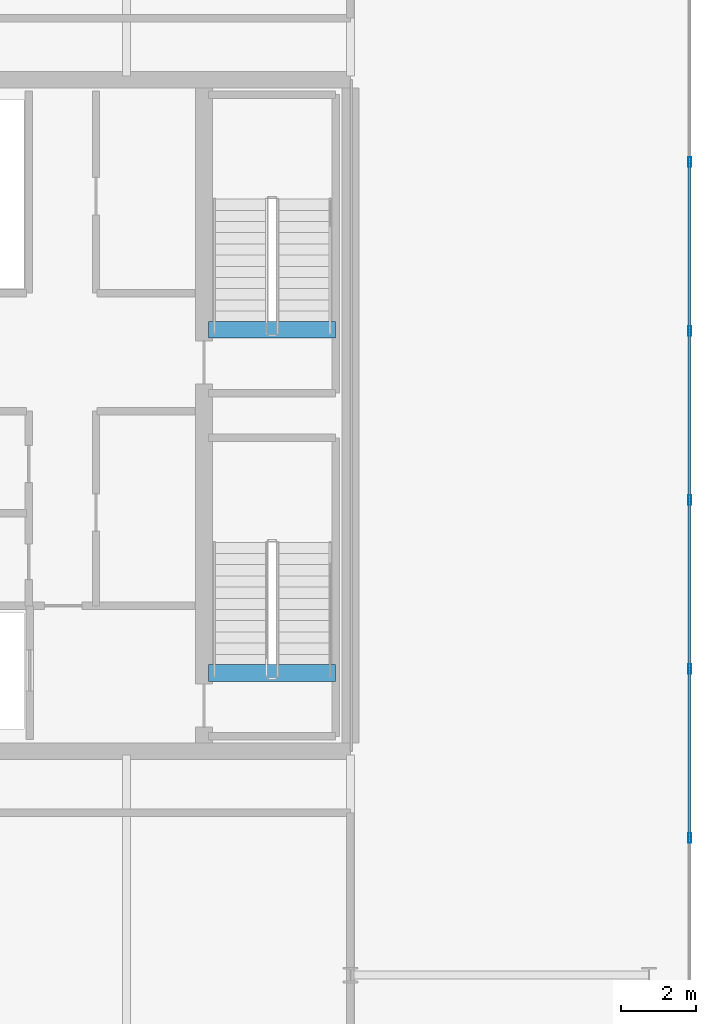
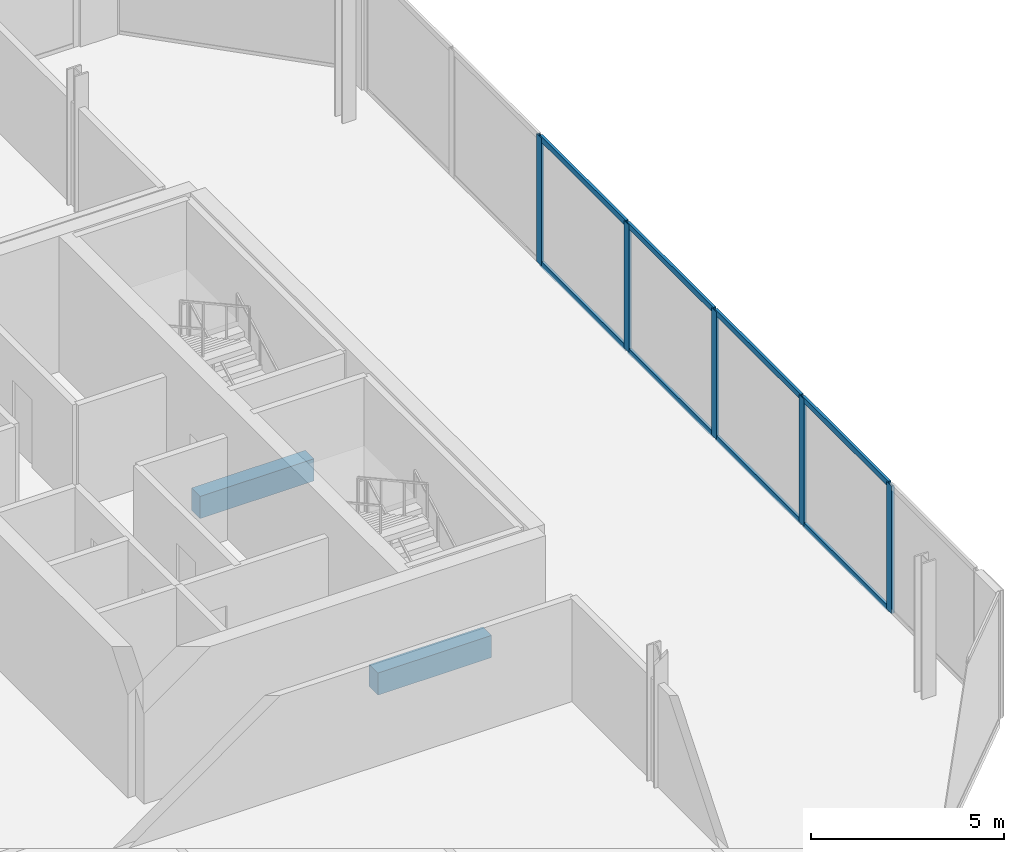
# One storey, part 8 of 16: 13 members, 2 beams, 1 element without a shape of its own.
"""IFC4 building model written with IfcOpenShell, lengths in metres."""

import ifcopenshell
import ifcopenshell.guid

model = None  # the IFC model being written
_history = None  # IfcOwnerHistory: only IFC2X3 demands one
_inside = {}  # id of a spatial element -> (the spatial element, [elements in it])
_under = {}  # id of a project, library or spatial element -> (it, [spatial elements below it])
_declared = {}  # id of a project -> (the project, [libraries it declares])
_typed = {}  # id of a type object -> (the type object, [elements of that type])
_made_of = {}  # id of a material, layer set ... -> (it, [elements and type objects made of it])


def new_model(schema):
    """Start an empty IFC model of exactly this schema.

    Asked for "IFC4X3", IfcOpenShell would pick the latest addendum, in which some entities
    have other attributes; the version numbers below select the first issue.
    IFC2X3 requires an IfcOwnerHistory on every rooted entity: one is made here for all.
    """
    global model, _history
    if schema == "IFC4X3":
        model = ifcopenshell.file(schema_version=(4, 3, 0, 0))
    else:
        model = ifcopenshell.file(schema=schema)
    _inside.clear()
    _under.clear()
    _declared.clear()
    _typed.clear()
    _made_of.clear()
    _history = None
    if model.schema == "IFC2X3":
        org = make("IfcOrganization", Name="unknown")
        user = make(
            "IfcPersonAndOrganization",
            ThePerson=make("IfcPerson", FamilyName="unknown"),
            TheOrganization=org,
        )
        app = make(
            "IfcApplication",
            ApplicationDeveloper=org,
            Version="unknown",
            ApplicationFullName="unknown",
            ApplicationIdentifier="unknown",
        )
        _history = make(
            "IfcOwnerHistory",
            OwningUser=user,
            OwningApplication=app,
            ChangeAction="ADDED",
            CreationDate=0,
        )
    return model


def make(cls, **values):
    """One entity of the class cls with the attributes given. An attribute that is None is left unset."""
    return model.create_entity(
        cls, **{name: value for name, value in values.items() if value is not None}
    )


def rooted(cls, **values):
    """An entity with a GlobalId (a new one), such as an element, a storey or a relation."""
    return make(cls, GlobalId=ifcopenshell.guid.new(), OwnerHistory=_history, **values)


def si_unit(unit_type, name, prefix=None):
    """IfcSIUnit, for example si_unit("LENGTHUNIT", "METRE", prefix="MILLI")."""
    return make("IfcSIUnit", UnitType=unit_type, Prefix=prefix, Name=name)


def assignment(units):
    """IfcUnitAssignment: the units of a project."""
    return None if units is None else make("IfcUnitAssignment", Units=units)


def point(xyz):
    """IfcCartesianPoint."""
    return None if xyz is None else make("IfcCartesianPoint", Coordinates=xyz)


def direction(xyz):
    """IfcDirection."""
    return None if xyz is None else make("IfcDirection", DirectionRatios=xyz)


def frame(location, z_axis=None, x_axis=None):
    """IfcAxis2Placement3D, a coordinate frame: its origin and axes. An axis left out is left unset."""
    return make(
        "IfcAxis2Placement3D",
        Location=point(location),
        Axis=direction(z_axis),
        RefDirection=direction(x_axis),
    )


def frame_2d(location, x_axis=None):
    """IfcAxis2Placement2D, a coordinate frame in the plane: its origin and x axis."""
    return make(
        "IfcAxis2Placement2D", Location=point(location), RefDirection=direction(x_axis)
    )


def origin():
    """The frame at (0, 0, 0) with its axes left unset."""
    return frame((0.0, 0.0, 0.0))


def origin_2d():
    """The frame at (0, 0) in the plane with its x axis left unset."""
    return frame_2d((0.0, 0.0))


def place(relative_to, where):
    """IfcLocalPlacement: puts the frame where relative to a parent placement (None: the world)."""
    return make(
        "IfcLocalPlacement", PlacementRelTo=relative_to, RelativePlacement=where
    )


def context(
    kind, dimensions, precision=None, world=None, true_north=None, identifier=None
):
    """IfcGeometricRepresentationContext, for example the 3D "Model" context."""
    return make(
        "IfcGeometricRepresentationContext",
        ContextIdentifier=identifier,
        ContextType=kind,
        CoordinateSpaceDimension=dimensions,
        Precision=precision,
        WorldCoordinateSystem=world,
        TrueNorth=true_north,
    )


def subcontext(parent, identifier, kind, view, scale=None):
    """IfcGeometricRepresentationSubContext, for example "Body" below "Model"."""
    return make(
        "IfcGeometricRepresentationSubContext",
        ContextIdentifier=identifier,
        ContextType=kind,
        ParentContext=parent,
        TargetScale=scale,
        TargetView=view,
    )


def project(units=None, contexts=None):
    """IfcProject with its units and contexts."""
    return rooted(
        "IfcProject",
        Name="project",
        RepresentationContexts=contexts,
        UnitsInContext=assignment(units),
    )


def spatial(cls, under=None, at=None, **own):
    """A site, building, storey or space (cls), placed at a placement, below another one or the project."""
    s = rooted(cls, ObjectPlacement=at, **own)
    if under is not None:
        _under.setdefault(under.id(), (under, []))[1].append(s)
    return s


def profile(cls, at=None, kind="AREA", **sizes):
    """A parametric profile (cls). Its sizes go by their IFC names, for example OverallWidth=200.0."""
    return make(cls, ProfileType=kind, Position=at, **sizes)


def rectangle(**sizes):
    """IfcRectangleProfileDef."""
    return profile("IfcRectangleProfileDef", **sizes)


def hollow_rectangle(**sizes):
    """IfcRectangleHollowProfileDef."""
    return profile("IfcRectangleHollowProfileDef", **sizes)


def extrude(swept, where, along, depth):
    """IfcExtrudedAreaSolid: the profile swept, set in the frame where, extruded along a direction by depth."""
    return make(
        "IfcExtrudedAreaSolid",
        SweptArea=swept,
        Position=where,
        ExtrudedDirection=direction(along),
        Depth=depth,
    )


def shape(context_of_items, identifier, shape_type, items):
    """IfcShapeRepresentation: the items that make up one representation, for example the "Body"."""
    return make(
        "IfcShapeRepresentation",
        ContextOfItems=context_of_items,
        RepresentationIdentifier=identifier,
        RepresentationType=shape_type,
        Items=items,
    )


def material(Name=None, Category=None):
    """IfcMaterial."""
    return make("IfcMaterial", Name=Name, Category=Category)


def layer(
    of_material, thickness, ventilated=None, Name=None, Category=None, Priority=None
):
    """IfcMaterialLayer: one layer of a wall or slab, of a material (None: an air gap)."""
    return make(
        "IfcMaterialLayer",
        Material=of_material,
        LayerThickness=thickness,
        IsVentilated=ventilated,
        Name=Name,
        Category=Category,
        Priority=Priority,
    )


def layer_set(layers, Name=None):
    """IfcMaterialLayerSet."""
    return make("IfcMaterialLayerSet", MaterialLayers=layers, LayerSetName=Name)


def material_profile(
    of_material, cross_section, Name=None, Category=None, Priority=None
):
    """IfcMaterialProfile: a cross section and its material."""
    return make(
        "IfcMaterialProfile",
        Name=Name,
        Material=of_material,
        Profile=cross_section,
        Priority=Priority,
        Category=Category,
    )


def profile_set(profiles, Name=None, composite=None):
    """IfcMaterialProfileSet."""
    return make(
        "IfcMaterialProfileSet",
        Name=Name,
        MaterialProfiles=profiles,
        CompositeProfile=composite,
    )


def made_of(thing, what):
    """Note that an element or type object is made of a material, layer set ...; save() writes the relation."""
    if what is not None:
        _made_of.setdefault(what.id(), (what, []))[1].append(thing)
    return thing


def type_object(cls, material=None, **own):
    """A type object (cls), such as IfcWallType, which elements share."""
    return made_of(rooted(cls, **own), material)


def element(
    cls,
    number,
    at=None,
    inside=None,
    cuts=None,
    type_object=None,
    material=None,
    context=None,
    identifier="Body",
    shape_type=None,
    held_by="IfcProductDefinitionShape",
    body=None,
    shapes=None,
    **own,
):
    """One element of the class cls, such as IfcWall. Its Tag is "e" and its number.

    at: its placement. inside: the storey or other place that contains it. cuts: it is an
    opening in that element (IfcRelVoidsElement). A single representation is given by context,
    identifier, shape_type and body (its items); several are given by shapes. held_by: the class
    of the entity that holds the representations. save() writes the other relations.
    """
    e = rooted(cls, Tag="e%d" % number, ObjectPlacement=at, **own)
    if body is not None:
        shapes = [shape(context, identifier, shape_type, body)]
    if shapes is not None:
        e.Representation = make(held_by, Representations=shapes)
    if inside is not None:
        _inside.setdefault(inside.id(), (inside, []))[1].append(e)
    if cuts is not None:
        rooted(
            "IfcRelVoidsElement", RelatingBuildingElement=cuts, RelatedOpeningElement=e
        )
    if type_object is not None:
        _typed.setdefault(type_object.id(), (type_object, []))[1].append(e)
    return made_of(e, material)


def aggregate(whole, parts):
    """IfcRelAggregates: a whole, such as a stair, and the parts it consists of."""
    return rooted("IfcRelAggregates", RelatingObject=whole, RelatedObjects=parts)


def save(model, path):
    """Write the relations noted so far, then the file.

    IfcRelAggregates (storeys below a building ...), IfcRelContainedInSpatialStructure (elements
    in a storey), IfcRelDefinesByType, IfcRelAssociatesMaterial and IfcRelDeclares: one each for
    every whole, place, type object, material and project.
    """
    for whole, parts in _under.values():
        aggregate(whole, parts)
    for where, things in _inside.values():
        rooted(
            "IfcRelContainedInSpatialStructure",
            RelatedElements=things,
            RelatingStructure=where,
        )
    for kind, things in _typed.values():
        rooted("IfcRelDefinesByType", RelatedObjects=things, RelatingType=kind)
    for what, things in _made_of.values():
        rooted("IfcRelAssociatesMaterial", RelatedObjects=things, RelatingMaterial=what)
    for by, libraries in _declared.values():
        rooted("IfcRelDeclares", RelatingContext=by, RelatedDefinitions=libraries)
    model.write(path)


model = new_model("IFC4")

# Units and contexts
model_context = context("Model", 3, precision=1e-05, world=origin(), true_north=direction((0.0, 1.0)))
body_context = subcontext(model_context, "Body", "Model", "MODEL_VIEW")
ifc_project = project(units=[si_unit("LENGTHUNIT", "METRE"), si_unit("AREAUNIT", "SQUARE_METRE"), si_unit("VOLUMEUNIT", "CUBIC_METRE"), si_unit("PLANEANGLEUNIT", "RADIAN"), si_unit("MASSUNIT", "GRAM", prefix="KILO")], contexts=[model_context])

# Site, building, storey
site_placement = place(None, origin())
site = spatial("IfcSite", under=ifc_project, at=site_placement, CompositionType="ELEMENT")
building_placement = place(site_placement, origin())
building = spatial("IfcBuilding", under=site, at=building_placement, Name="Tanjung Sevakor Pilgrim Tower", CompositionType="ELEMENT")
storey_placement = place(building_placement, frame((0.0, 0.0, 278.85009765625)))
storey = spatial("IfcBuildingStorey", under=building, at=storey_placement, Name="L78", CompositionType="ELEMENT", Elevation=278.85009765625)

# Beams
ifc_material_1 = material(Name="Concrete C60/75", Category="concrete")
ifc_material_profile_1 = material_profile(ifc_material_1, rectangle(XDim=0.449951171875, YDim=0.699951171875, at=origin_2d()))
ifc_profile_set_1 = profile_set([ifc_material_profile_1], Name="Concrete C60/75")
beam_type = type_object("IfcBeamType", Name="BM-B-LN3-RC-BM_450x700", PredefinedType="LINTEL", material=ifc_profile_set_1)
for number, where, z_axis, x_axis, name in (
    (1, (86.199951171875, 26.699951171875, -0.35009765625), (1.0, 0.0, 0.0), (0.0, 1.0, 0.0), "L78 TS-E1 Stair Threshold Beam"),
    (2, (86.199951171875, 35.89990234375, -0.35009765625), (1.0, 0.0, 0.0), (0.0, 1.0, 0.0), "L78 TS-E2 Stair Threshold Beam"),
):
    element("IfcBeam", number, at=place(storey_placement, frame(where, z_axis=z_axis, x_axis=x_axis)), inside=storey, type_object=beam_type, Name=name, PredefinedType="LINTEL", context=body_context, shape_type="SweptSolid", body=[
        extrude(rectangle(XDim=0.449951171875, YDim=0.699951171875, at=origin_2d()), origin(), (0.0, 0.0, 1.0), 3.400146484375),
    ])

# Curtain wall, members
ifc_material_2 = material(Name="Aluminium 6063-T6 and Low-E Glass", Category="aluminium")
ifc_layer = layer(ifc_material_2, 0.219970703125)
ifc_layer_set = layer_set([ifc_layer], Name="CW-SYS-CRNE")
curtain_wall_type = type_object("IfcCurtainWallType", Name="CW-SYS-CRNE", PredefinedType="NOTDEFINED", material=ifc_layer_set)
curtain_wall_placement = place(storey_placement, origin())
curtain_wall = element("IfcCurtainWall", 3, at=curtain_wall_placement, inside=storey, type_object=curtain_wall_type, Name="L78 Curtain Wall CW-CRN-L78-EAST-2-1", PredefinedType="NOTDEFINED")
ifc_material_3 = material(Name="Aluminium 6063-T6", Category="aluminium")
ifc_material_profile_2 = material_profile(ifc_material_3, hollow_rectangle(XDim=0.080078125, YDim=0.260009765625, WallThickness=0.0048828125, at=origin_2d()))
ifc_profile_set_2 = profile_set([ifc_material_profile_2], Name="Aluminium 6063-T6")
member_type_1 = type_object("IfcMemberType", Name="TYPE-CWM-3", PredefinedType="MULLION", material=ifc_profile_set_2)
member_1_placement = place(storey_placement, frame((99.090087890625, 22.275390625, 0.0), z_axis=(0.0, 0.0, 1.0), x_axis=(-1.0, 0.0, 0.0)))
member_1 = element("IfcMember", 4, at=member_1_placement, type_object=member_type_1, Name="CW-CRE mullion 2", PredefinedType="MULLION", context=body_context, shape_type="SweptSolid", body=[
    extrude(hollow_rectangle(XDim=0.080078125, YDim=0.260009765625, WallThickness=0.0048828125, at=origin_2d()), origin(), (0.0, 0.0, 1.0), 4.02978515625),
])
member_2_placement = place(storey_placement, frame((99.090087890625, 26.80517578125, 0.0), z_axis=(0.0, 0.0, 1.0), x_axis=(-1.0, 0.0, 0.0)))
member_2 = element("IfcMember", 5, at=member_2_placement, type_object=member_type_1, Name="CW-CRE mullion 3", PredefinedType="MULLION", context=body_context, shape_type="SweptSolid", body=[
    extrude(hollow_rectangle(XDim=0.080078125, YDim=0.260009765625, WallThickness=0.0048828125, at=origin_2d()), origin(), (0.0, 0.0, 1.0), 4.02978515625),
])
member_3_placement = place(storey_placement, frame((99.090087890625, 31.335205078125, 0.0), z_axis=(0.0, 0.0, 1.0), x_axis=(-1.0, 0.0, 0.0)))
member_3 = element("IfcMember", 6, at=member_3_placement, type_object=member_type_1, Name="CW-CRE mullion 4", PredefinedType="MULLION", context=body_context, shape_type="SweptSolid", body=[
    extrude(hollow_rectangle(XDim=0.080078125, YDim=0.260009765625, WallThickness=0.0048828125, at=origin_2d()), origin(), (0.0, 0.0, 1.0), 4.02978515625),
])
member_4_placement = place(storey_placement, frame((99.090087890625, 35.864990234375, 0.0), z_axis=(0.0, 0.0, 1.0), x_axis=(-1.0, 0.0, 0.0)))
member_4 = element("IfcMember", 7, at=member_4_placement, type_object=member_type_1, Name="CW-CRE mullion 5", PredefinedType="MULLION", context=body_context, shape_type="SweptSolid", body=[
    extrude(hollow_rectangle(XDim=0.080078125, YDim=0.260009765625, WallThickness=0.0048828125, at=origin_2d()), origin(), (0.0, 0.0, 1.0), 4.02978515625),
])
member_5_placement = place(storey_placement, frame((99.090087890625, 40.394775390625, 0.0), z_axis=(0.0, 0.0, 1.0), x_axis=(-1.0, 0.0, 0.0)))
member_5 = element("IfcMember", 8, at=member_5_placement, type_object=member_type_1, Name="CW-CRE mullion 6", PredefinedType="MULLION", context=body_context, shape_type="SweptSolid", body=[
    extrude(hollow_rectangle(XDim=0.080078125, YDim=0.260009765625, WallThickness=0.0048828125, at=origin_2d()), origin(), (0.0, 0.0, 1.0), 4.02978515625),
])
ifc_material_4 = material(Name="Aluminium 6063-T6", Category="aluminium")
ifc_material_profile_3 = material_profile(ifc_material_4, hollow_rectangle(XDim=0.080078125, YDim=0.179931640625, WallThickness=0.0048828125, at=origin_2d()))
ifc_profile_set_3 = profile_set([ifc_material_profile_3], Name="Aluminium 6063-T6")
member_type_2 = type_object("IfcMemberType", Name="TYPE-CWT-3", PredefinedType="USERDEFINED", material=ifc_profile_set_3)
member_6_placement = place(storey_placement, frame((99.090087890625, 22.3154296875, 0.039794921875), z_axis=(0.0, 1.0, 0.0), x_axis=(-1.0, 0.0, 0.0)))
member_6 = element("IfcMember", 9, at=member_6_placement, type_object=member_type_2, Name="CW-CRE transom 2.1", ObjectType="TRANSOM", PredefinedType="USERDEFINED", context=body_context, shape_type="SweptSolid", body=[
    extrude(hollow_rectangle(XDim=0.080078125, YDim=0.179931640625, WallThickness=0.0048828125, at=origin_2d()), origin(), (0.0, 0.0, 1.0), 4.44970703125),
])
member_7_placement = place(storey_placement, frame((99.090087890625, 22.3154296875, 3.989990234375), z_axis=(0.0, 1.0, 0.0), x_axis=(-1.0, 0.0, 0.0)))
member_7 = element("IfcMember", 10, at=member_7_placement, type_object=member_type_2, Name="CW-CRE transom 2.2", ObjectType="TRANSOM", PredefinedType="USERDEFINED", context=body_context, shape_type="SweptSolid", body=[
    extrude(hollow_rectangle(XDim=0.080078125, YDim=0.179931640625, WallThickness=0.0048828125, at=origin_2d()), origin(), (0.0, 0.0, 1.0), 4.44970703125),
])
member_8_placement = place(storey_placement, frame((99.090087890625, 26.84521484375, 0.039794921875), z_axis=(0.0, 1.0, 0.0), x_axis=(-1.0, 0.0, 0.0)))
member_8 = element("IfcMember", 11, at=member_8_placement, type_object=member_type_2, Name="CW-CRE transom 3.1", ObjectType="TRANSOM", PredefinedType="USERDEFINED", context=body_context, shape_type="SweptSolid", body=[
    extrude(hollow_rectangle(XDim=0.080078125, YDim=0.179931640625, WallThickness=0.0048828125, at=origin_2d()), origin(), (0.0, 0.0, 1.0), 4.449951171875),
])
member_9_placement = place(storey_placement, frame((99.090087890625, 26.84521484375, 3.989990234375), z_axis=(0.0, 1.0, 0.0), x_axis=(-1.0, 0.0, 0.0)))
member_9 = element("IfcMember", 12, at=member_9_placement, type_object=member_type_2, Name="CW-CRE transom 3.2", ObjectType="TRANSOM", PredefinedType="USERDEFINED", context=body_context, shape_type="SweptSolid", body=[
    extrude(hollow_rectangle(XDim=0.080078125, YDim=0.179931640625, WallThickness=0.0048828125, at=origin_2d()), origin(), (0.0, 0.0, 1.0), 4.449951171875),
])
member_10_placement = place(storey_placement, frame((99.090087890625, 31.375, 0.039794921875), z_axis=(0.0, 1.0, 0.0), x_axis=(-1.0, 0.0, 0.0)))
member_10 = element("IfcMember", 13, at=member_10_placement, type_object=member_type_2, Name="CW-CRE transom 4.1", ObjectType="TRANSOM", PredefinedType="USERDEFINED", context=body_context, shape_type="SweptSolid", body=[
    extrude(hollow_rectangle(XDim=0.080078125, YDim=0.179931640625, WallThickness=0.0048828125, at=origin_2d()), origin(), (0.0, 0.0, 1.0), 4.449951171875),
])
member_11_placement = place(storey_placement, frame((99.090087890625, 31.375, 3.989990234375), z_axis=(0.0, 1.0, 0.0), x_axis=(-1.0, 0.0, 0.0)))
member_11 = element("IfcMember", 14, at=member_11_placement, type_object=member_type_2, Name="CW-CRE transom 4.2", ObjectType="TRANSOM", PredefinedType="USERDEFINED", context=body_context, shape_type="SweptSolid", body=[
    extrude(hollow_rectangle(XDim=0.080078125, YDim=0.179931640625, WallThickness=0.0048828125, at=origin_2d()), origin(), (0.0, 0.0, 1.0), 4.449951171875),
])
member_12_placement = place(storey_placement, frame((99.090087890625, 35.905029296875, 0.039794921875), z_axis=(0.0, 1.0, 0.0), x_axis=(-1.0, 0.0, 0.0)))
member_12 = element("IfcMember", 15, at=member_12_placement, type_object=member_type_2, Name="CW-CRE transom 5.1", ObjectType="TRANSOM", PredefinedType="USERDEFINED", context=body_context, shape_type="SweptSolid", body=[
    extrude(hollow_rectangle(XDim=0.080078125, YDim=0.179931640625, WallThickness=0.0048828125, at=origin_2d()), origin(), (0.0, 0.0, 1.0), 4.44970703125),
])
member_13_placement = place(storey_placement, frame((99.090087890625, 35.905029296875, 3.989990234375), z_axis=(0.0, 1.0, 0.0), x_axis=(-1.0, 0.0, 0.0)))
member_13 = element("IfcMember", 16, at=member_13_placement, type_object=member_type_2, Name="CW-CRE transom 5.2", ObjectType="TRANSOM", PredefinedType="USERDEFINED", context=body_context, shape_type="SweptSolid", body=[
    extrude(hollow_rectangle(XDim=0.080078125, YDim=0.179931640625, WallThickness=0.0048828125, at=origin_2d()), origin(), (0.0, 0.0, 1.0), 4.44970703125),
])
aggregate(curtain_wall, [member_1, member_2, member_3, member_4, member_5, member_6, member_7, member_8, member_9, member_10, member_11, member_12, member_13])

save(model, "model.ifc")
